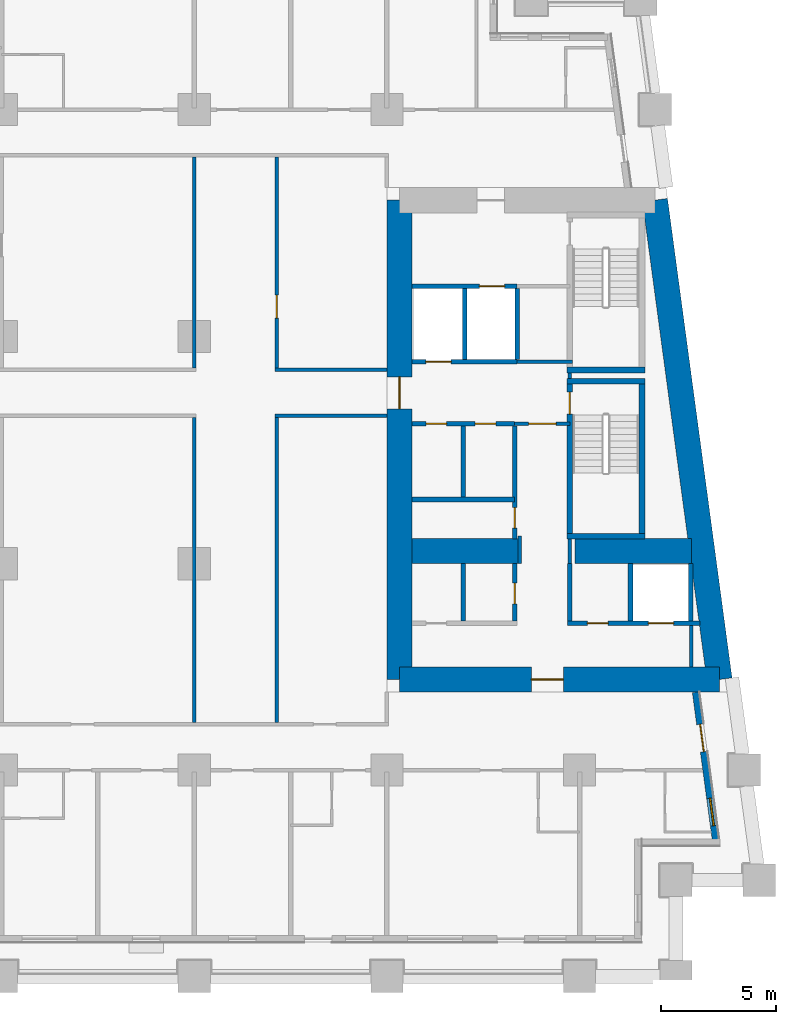
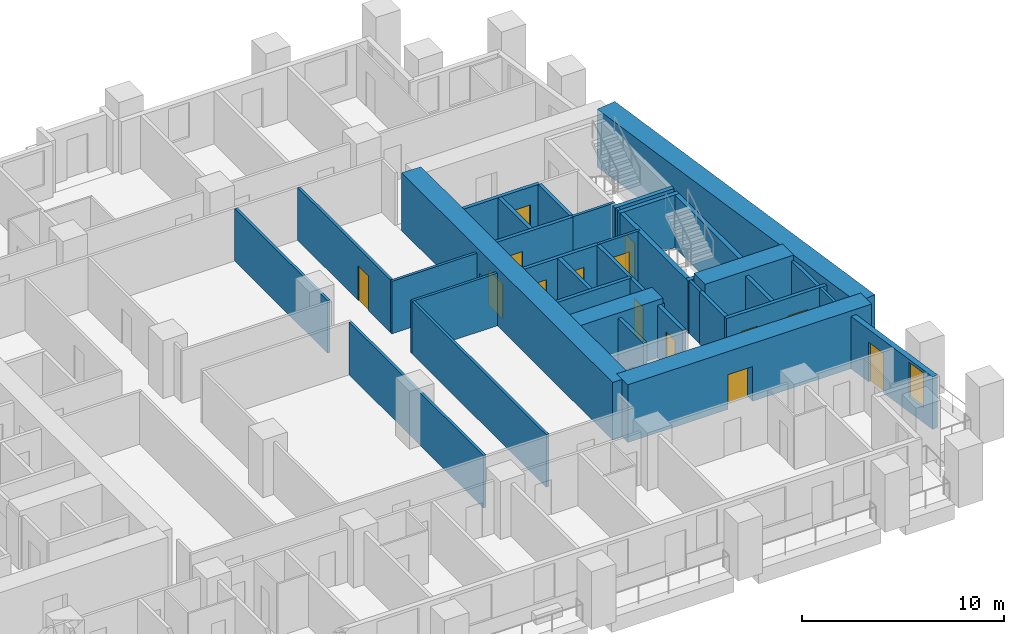
# One storey, part 5 of 12: 37 walls, 14 doors, 1 window, 15 openings.
"""IFC4 building model written with IfcOpenShell, lengths in metres."""

from ifc_helpers import new_model, si_unit, direction, frame, frame_2d, origin, place, context, subcontext, project, spatial, rectangle, extrude, material, layer, layer_set, type_object, element, fill, save


model = new_model("IFC4")

# Units and contexts
model_context = context("Model", 3, precision=1e-05, world=origin(), true_north=direction((0.0, 1.0)))
body_context = subcontext(model_context, "Body", "Model", "MODEL_VIEW")
ifc_project = project(units=[si_unit("LENGTHUNIT", "METRE"), si_unit("AREAUNIT", "SQUARE_METRE"), si_unit("VOLUMEUNIT", "CUBIC_METRE"), si_unit("PLANEANGLEUNIT", "RADIAN"), si_unit("MASSUNIT", "GRAM", prefix="KILO")], contexts=[model_context])

# Site, building, storey
site_placement = place(None, origin())
site = spatial("IfcSite", under=ifc_project, at=site_placement, CompositionType="ELEMENT")
building_placement = place(site_placement, origin())
building = spatial("IfcBuilding", under=site, at=building_placement, Name="Candeia Pilgrim Tower and Theatre", CompositionType="ELEMENT")
storey_placement = place(building_placement, frame((0.0, 0.0, 49.5)))
storey = spatial("IfcBuildingStorey", under=building, at=storey_placement, Name="L09", CompositionType="ELEMENT", Elevation=49.5)

# Wall
ifc_material_1 = material(Name="Concrete C80/95", Category="concrete")
ifc_layer_1 = layer(ifc_material_1, 1.10009765625)
ifc_layer_set_1 = layer_set([ifc_layer_1], Name="Core wall 1100 C80/95")
wall_type_1 = type_object("IfcWallType", Name="Core wall 1100 C80/95", PredefinedType="SHEAR", material=ifc_layer_set_1)
wall_1_placement = place(storey_placement, frame((137.688232421875, 131.85009765625, 0.0), z_axis=(0.0, 0.0, 1.0), x_axis=(0.133411793472, -0.991060691059, 0.0)))
element("IfcWall", 1, at=wall_1_placement, inside=storey, type_object=wall_type_1, Name="Core wall E2", PredefinedType="SHEAR", context=body_context, shape_type="SweptSolid", body=[
    extrude(rectangle(XDim=21.088623046875, YDim=1.10009765625, at=frame_2d((10.54443359375, 0.0))), origin(), (0.0, 0.0, 1.0), 3.5),
])

# Wall, opening, door
wall_2_placement = place(storey_placement, frame((140.501708984375, 110.949951171875, 0.0), z_axis=(0.0, 0.0, 1.0), x_axis=(-1.0, 0.0, 0.0)))
wall_2 = element("IfcWall", 2, at=wall_2_placement, inside=storey, type_object=wall_type_1, Name="Core wall E3", PredefinedType="SHEAR", context=body_context, shape_type="SweptSolid", body=[
    extrude(rectangle(XDim=13.95166015625, YDim=1.10009765625, at=frame_2d((6.975830078125, 0.0))), origin(), (0.0, 0.0, 1.0), 3.5),
])
opening_1_placement = place(wall_2_placement, frame((6.80419921875, 0.0, 0.0)))
opening_1 = element("IfcOpeningElement", 3, at=opening_1_placement, cuts=wall_2, Name="Opening L09-D057", PredefinedType="OPENING", context=body_context, shape_type="SweptSolid", body=[
    extrude(rectangle(XDim=1.39990234375, YDim=2.10009765625, at=frame_2d((0.699951171875, 1.050048828125))), frame((0.0, 0.56005859375, 0.0), z_axis=(0.0, -1.0, 0.0), x_axis=(1.0, 0.0, 0.0)), (0.0, 0.0, 1.0), 1.1201171875),
])
ifc_material_2 = material(Name="Steel fire door set", Category="steel")
door_type_1 = type_object("IfcDoorType", Name="D-1400-FD60", OperationType="NOTDEFINED", PredefinedType="DOOR", material=ifc_material_2)
door_1_placement = place(opening_1_placement, origin())
door_1 = element("IfcDoor", 4, at=door_1_placement, inside=storey, type_object=door_type_1, Name="Door L09-D057", OperationType="SINGLE_SWING_RIGHT", OverallHeight=2.10009765625, OverallWidth=1.39990234375, PredefinedType="DOOR", context=body_context, shape_type="SweptSolid", body=[
    extrude(rectangle(XDim=1.39990234375, YDim=2.10009765625, at=frame_2d((0.699951171875, 1.050048828125))), frame((0.0, 0.02490234375, 0.0), z_axis=(0.0, -1.0, 0.0), x_axis=(1.0, 0.0, 0.0)), (0.0, 0.0, 1.0), 0.050048828125),
])
fill(opening_1, door_1)

wall_3_placement = place(storey_placement, frame((126.550048828125, 110.949951171875, 0.0), z_axis=(0.0, 0.0, 1.0), x_axis=(0.0, 1.0, 0.0)))
wall_3 = element("IfcWall", 5, at=wall_3_placement, inside=storey, type_object=wall_type_1, Name="Core wall E4", PredefinedType="SHEAR", context=body_context, shape_type="SweptSolid", body=[
    extrude(rectangle(XDim=20.900146484375, YDim=1.10009765625, at=frame_2d((10.4501953125, 0.0))), origin(), (0.0, 0.0, 1.0), 3.5),
])
opening_2_placement = place(wall_3_placement, frame((11.800048828125, 0.0, 0.0)))
opening_2 = element("IfcOpeningElement", 6, at=opening_2_placement, cuts=wall_3, Name="Opening L09-D059", PredefinedType="OPENING", context=body_context, shape_type="SweptSolid", body=[
    extrude(rectangle(XDim=1.39990234375, YDim=2.10009765625, at=frame_2d((0.699951171875, 1.050048828125))), frame((0.0, 0.56005859375, 0.0), z_axis=(0.0, -1.0, 0.0), x_axis=(1.0, 0.0, 0.0)), (0.0, 0.0, 1.0), 1.1201171875),
])
door_2_placement = place(opening_2_placement, origin())
door_2 = element("IfcDoor", 7, at=door_2_placement, inside=storey, type_object=door_type_1, Name="Door L09-D059", OperationType="SINGLE_SWING_RIGHT", OverallHeight=2.10009765625, OverallWidth=1.39990234375, PredefinedType="DOOR", context=body_context, shape_type="SweptSolid", body=[
    extrude(rectangle(XDim=1.39990234375, YDim=2.10009765625, at=frame_2d((0.699951171875, 1.050048828125))), frame((0.0, 0.02490234375, 0.0), z_axis=(0.0, -1.0, 0.0), x_axis=(1.0, 0.0, 0.0)), (0.0, 0.0, 1.0), 0.050048828125),
])
fill(opening_2, door_2)

# Walls
wall_4_placement = place(storey_placement, frame((127.10009765625, 116.550048828125, 0.0), z_axis=(0.0, 0.0, 1.0), x_axis=(1.0, 0.0, 0.0)))
element("IfcWall", 8, at=wall_4_placement, inside=storey, type_object=wall_type_1, Name="Core wall E5", PredefinedType="SHEAR", context=body_context, shape_type="SweptSolid", body=[
    extrude(rectangle(XDim=4.699951171875, YDim=1.10009765625, at=frame_2d((2.35009765625, 0.0))), origin(), (0.0, 0.0, 1.0), 3.5),
])
wall_5_placement = place(storey_placement, frame((134.199951171875, 116.550048828125, 0.0), z_axis=(0.0, 0.0, 1.0), x_axis=(1.0, 0.0, 0.0)))
element("IfcWall", 9, at=wall_5_placement, inside=storey, type_object=wall_type_1, Name="Core wall E6", PredefinedType="SHEAR", context=body_context, shape_type="SweptSolid", body=[
    extrude(rectangle(XDim=5.076904296875, YDim=1.10009765625, at=frame_2d((2.53857421875, 0.0))), origin(), (0.0, 0.0, 1.0), 3.5),
])

# Wall, openings, door, window
ifc_material_3 = material(Name="Ceramic block masonry", Category="masonry")
ifc_layer_2 = layer(ifc_material_3, 0.300048828125)
ifc_layer_set_2 = layer_set([ifc_layer_2], Name="EW1 glazing-line wall 300")
wall_type_2 = type_object("IfcWallType", Name="EW1 glazing-line wall 300", PredefinedType="SOLIDWALL", material=ifc_layer_set_2)
wall_6_placement = place(storey_placement, frame((140.34765625, 103.85009765625, 0.0), z_axis=(0.0, 0.0, 1.0), x_axis=(-0.133431549479, 0.991058031401, 0.0)))
wall_6 = element("IfcWall", 10, at=wall_6_placement, inside=storey, type_object=wall_type_2, Name="External wall L09-3.0", PredefinedType="SOLIDWALL", context=body_context, shape_type="SweptSolid", body=[
    extrude(rectangle(XDim=6.60888671875, YDim=0.300048828125, at=frame_2d((3.304443359375, 0.0))), origin(), (0.0, 0.0, 1.0), 3.179931640625),
])
opening_3_placement = place(wall_6_placement, frame((0.736572265625, 0.0, 0.89990234375)))
opening_3 = element("IfcOpeningElement", 11, at=opening_3_placement, cuts=wall_6, Name="Opening W-B", PredefinedType="OPENING", context=body_context, shape_type="SweptSolid", body=[
    extrude(rectangle(XDim=1.199951171875, YDim=2.10009765625, at=frame_2d((0.60009765625, 1.050048828125))), frame((0.0, 0.16015625, 0.0), z_axis=(0.0, -1.0, 0.0), x_axis=(1.0, 0.0, 0.0)), (0.0, 0.0, 1.0), 0.320068359375),
])
opening_4_placement = place(wall_6_placement, frame((3.990966796875, 0.0, 0.0)))
opening_4 = element("IfcOpeningElement", 12, at=opening_4_placement, cuts=wall_6, Name="Opening L09-ED112", PredefinedType="OPENING", context=body_context, shape_type="SweptSolid", body=[
    extrude(rectangle(XDim=1.199951171875, YDim=2.39990234375, at=frame_2d((0.60009765625, 1.199951171875))), frame((0.0, 0.16015625, 0.0), z_axis=(0.0, -1.0, 0.0), x_axis=(1.0, 0.0, 0.0)), (0.0, 0.0, 1.0), 0.320068359375),
])
ifc_material_4 = material(Name="Aluminium framed glazed door", Category="aluminium")
door_type_2 = type_object("IfcDoorType", Name="Loggia door 1200x2400", OperationType="DOUBLE_DOOR_SINGLE_SWING", PredefinedType="DOOR", material=ifc_material_4)
door_3_placement = place(opening_4_placement, origin())
door_3 = element("IfcDoor", 13, at=door_3_placement, inside=storey, type_object=door_type_2, Name="Loggia door L09-ED112", OperationType="DOUBLE_DOOR_SINGLE_SWING", OverallHeight=2.39990234375, OverallWidth=1.199951171875, PredefinedType="DOOR", context=body_context, shape_type="SweptSolid", body=[
    extrude(rectangle(XDim=1.199951171875, YDim=2.39990234375, at=frame_2d((0.60009765625, 1.199951171875))), frame((0.0, 0.02490234375, 0.0), z_axis=(0.0, -1.0, 0.0), x_axis=(1.0, 0.0, 0.0)), (0.0, 0.0, 1.0), 0.050048828125),
])
fill(opening_4, door_3)
ifc_material_5 = material(Name="Aluminium framed double glazing", Category="aluminium")
window_type = type_object("IfcWindowType", Name="W-B window 1200x2100", PartitioningType="SINGLE_PANEL", PredefinedType="WINDOW", material=ifc_material_5)
window_placement = place(opening_3_placement, origin())
window = element("IfcWindow", 14, at=window_placement, inside=storey, type_object=window_type, Name="Window W-B L09", OverallHeight=2.10009765625, OverallWidth=1.199951171875, PartitioningType="SINGLE_PANEL", PredefinedType="WINDOW", context=body_context, shape_type="SweptSolid", body=[
    extrude(rectangle(XDim=1.199951171875, YDim=2.10009765625, at=frame_2d((0.60009765625, 1.050048828125))), frame((0.0, 0.030029296875, 0.0), z_axis=(0.0, -1.0, 0.0), x_axis=(1.0, 0.0, 0.0)), (0.0, 0.0, 1.0), 0.06005859375),
])
fill(opening_3, window)

# Wall, opening, door
ifc_material_6 = material(Name="Gypsum board partition on steel studs", Category="steel")
ifc_layer_3 = layer(ifc_material_6, 0.14990234375)
ifc_layer_set_3 = layer_set([ifc_layer_3], Name="PW-150 lobby wall")
wall_type_3 = type_object("IfcWallType", Name="PW-150 lobby wall", PredefinedType="PARTITIONING", material=ifc_layer_set_3)
wall_7_placement = place(storey_placement, frame((131.572998046875, 122.10009765625, 0.0), z_axis=(0.0, 0.0, 1.0), x_axis=(1.0, 0.0, 0.0)))
wall_7 = element("IfcWall", 15, at=wall_7_placement, inside=storey, type_object=wall_type_3, Name="Lobby wall L09-021", PredefinedType="PARTITIONING", context=body_context, shape_type="SweptSolid", body=[
    extrude(rectangle(XDim=2.39990234375, YDim=0.14990234375, at=frame_2d((1.199951171875, 0.0))), origin(), (0.0, 0.0, 1.0), 3.179931640625),
])
opening_5_placement = place(wall_7_placement, frame((0.60009765625, 0.0, 0.0)))
opening_5 = element("IfcOpeningElement", 16, at=opening_5_placement, cuts=wall_7, Name="Opening L09-D008", PredefinedType="OPENING", context=body_context, shape_type="SweptSolid", body=[
    extrude(rectangle(XDim=1.199951171875, YDim=2.10009765625, at=frame_2d((0.60009765625, 1.050048828125))), frame((0.0, 0.0849609375, 0.0), z_axis=(0.0, -1.0, 0.0), x_axis=(1.0, 0.0, 0.0)), (0.0, 0.0, 1.0), 0.169921875),
])
door_type_3 = type_object("IfcDoorType", Name="D-1200-FD60", OperationType="NOTDEFINED", PredefinedType="DOOR", material=ifc_material_2)
door_4_placement = place(opening_5_placement, origin())
door_4 = element("IfcDoor", 17, at=door_4_placement, inside=storey, type_object=door_type_3, Name="Door L09-D008", OperationType="SINGLE_SWING_RIGHT", OverallHeight=2.10009765625, OverallWidth=1.199951171875, PredefinedType="DOOR", context=body_context, shape_type="SweptSolid", body=[
    extrude(rectangle(XDim=1.199951171875, YDim=2.10009765625, at=frame_2d((0.60009765625, 1.050048828125))), frame((0.0, 0.02490234375, 0.0), z_axis=(0.0, -1.0, 0.0), x_axis=(1.0, 0.0, 0.0)), (0.0, 0.0, 1.0), 0.050048828125),
])
fill(opening_5, door_4)

# Walls
wall_8_placement = place(storey_placement, frame((131.681884765625, 124.800048828125, 0.0), z_axis=(0.0, 0.0, 1.0), x_axis=(1.0, 0.0, 0.0)))
element("IfcWall", 18, at=wall_8_placement, inside=storey, type_object=wall_type_3, Name="Lobby wall L09-034", PredefinedType="PARTITIONING", context=body_context, shape_type="SweptSolid", body=[
    extrude(rectangle(XDim=2.416015625, YDim=0.14990234375, at=frame_2d((1.2080078125, 0.0))), origin(), (0.0, 0.0, 1.0), 3.179931640625),
])
wall_9_placement = place(storey_placement, frame((131.800048828125, 116.0, 0.0), z_axis=(0.0, 0.0, 1.0), x_axis=(0.0, 1.0, 0.0)))
element("IfcWall", 19, at=wall_9_placement, inside=storey, type_object=wall_type_3, Name="Lobby wall L09-107", PredefinedType="PARTITIONING", context=body_context, shape_type="SweptSolid", body=[
    extrude(rectangle(XDim=1.199951171875, YDim=0.14990234375, at=frame_2d((0.60009765625, 0.0))), origin(), (0.0, 0.0, 1.0), 3.179931640625),
])
wall_10_placement = place(storey_placement, frame((133.972900390625, 116.0, 0.0), z_axis=(0.0, 0.0, 1.0), x_axis=(0.0, 1.0, 0.0)))
element("IfcWall", 20, at=wall_10_placement, inside=storey, type_object=wall_type_3, Name="Lobby wall L09-111", PredefinedType="PARTITIONING", context=body_context, shape_type="SweptSolid", body=[
    extrude(rectangle(XDim=1.070068359375, YDim=0.14990234375, at=frame_2d((0.53515625, 0.0))), origin(), (0.0, 0.0, 1.0), 3.179931640625),
])
wall_11_placement = place(storey_placement, frame((133.972900390625, 124.074951171875, 0.0), z_axis=(0.0, 0.0, 1.0), x_axis=(0.0, 1.0, 0.0)))
element("IfcWall", 21, at=wall_11_placement, inside=storey, type_object=wall_type_3, Name="Lobby wall L09-112", PredefinedType="PARTITIONING", context=body_context, shape_type="SweptSolid", body=[
    extrude(rectangle(XDim=0.25, YDim=0.14990234375, at=frame_2d((0.125, 0.0))), origin(), (0.0, 0.0, 1.0), 3.179931640625),
])
wall_12_placement = place(storey_placement, frame((139.27001953125, 111.5, 0.0), z_axis=(0.0, 0.0, 1.0), x_axis=(0.0, 1.0, 0.0)))
element("IfcWall", 22, at=wall_12_placement, inside=storey, type_object=wall_type_3, Name="Lobby wall L09-121", PredefinedType="PARTITIONING", context=body_context, shape_type="SweptSolid", body=[
    extrude(rectangle(XDim=1.800048828125, YDim=0.14990234375, at=frame_2d((0.89990234375, 0.0))), origin(), (0.0, 0.0, 1.0), 3.179931640625),
])
ifc_layer_4 = layer(ifc_material_6, 0.14990234375)
ifc_layer_set_4 = layer_set([ifc_layer_4], Name="PW-150 unit wall")
wall_type_4 = type_object("IfcWallType", Name="PW-150 unit wall", PredefinedType="PARTITIONING", material=ifc_layer_set_4)
for number, where, z_axis, x_axis, name in (
    (23, (121.125, 122.449951171875, 0.0), (0.0, 0.0, 1.0), (1.0, 0.0, 0.0), "Unit wall L09-024"),
    (24, (121.125, 124.449951171875, 0.0), (0.0, 0.0, 1.0), (1.0, 0.0, 0.0), "Unit wall L09-031"),
):
    element("IfcWall", number, at=place(storey_placement, frame(where, z_axis=z_axis, x_axis=x_axis)), inside=storey, type_object=wall_type_4, Name=name, PredefinedType="PARTITIONING", context=body_context, shape_type="SweptSolid", body=[
        extrude(rectangle(XDim=4.875, YDim=0.14990234375, at=frame_2d((2.4375, 0.0))), origin(), (0.0, 0.0, 1.0), 3.179931640625),
    ])
wall_13_placement = place(storey_placement, frame((117.60009765625, 109.074951171875, 0.0), z_axis=(0.0, 0.0, 1.0), x_axis=(0.0, 1.0, 0.0)))
element("IfcWall", 25, at=wall_13_placement, inside=storey, type_object=wall_type_4, Name="Unit wall L09-089", PredefinedType="PARTITIONING", context=body_context, shape_type="SweptSolid", body=[
    extrude(rectangle(XDim=13.300048828125, YDim=0.14990234375, at=frame_2d((6.64990234375, 0.0))), origin(), (0.0, 0.0, 1.0), 3.179931640625),
])
wall_14_placement = place(storey_placement, frame((117.60009765625, 124.52490234375, 0.0), z_axis=(0.0, 0.0, 1.0), x_axis=(0.0, 1.0, 0.0)))
element("IfcWall", 26, at=wall_14_placement, inside=storey, type_object=wall_type_4, Name="Unit wall L09-090", PredefinedType="PARTITIONING", context=body_context, shape_type="SweptSolid", body=[
    extrude(rectangle(XDim=9.2001953125, YDim=0.14990234375, at=frame_2d((4.60009765625, 0.0))), origin(), (0.0, 0.0, 1.0), 3.179931640625),
])
wall_15_placement = place(storey_placement, frame((121.199951171875, 109.074951171875, 0.0), z_axis=(0.0, 0.0, 1.0), x_axis=(0.0, 1.0, 0.0)))
element("IfcWall", 27, at=wall_15_placement, inside=storey, type_object=wall_type_4, Name="Unit wall L09-091", PredefinedType="PARTITIONING", context=body_context, shape_type="SweptSolid", body=[
    extrude(rectangle(XDim=13.300048828125, YDim=0.14990234375, at=frame_2d((6.64990234375, 0.0))), origin(), (0.0, 0.0, 1.0), 3.179931640625),
])

# Wall, opening, door
wall_16_placement = place(storey_placement, frame((121.199951171875, 124.52490234375, 0.0), z_axis=(0.0, 0.0, 1.0), x_axis=(0.0, 1.0, 0.0)))
wall_16 = element("IfcWall", 28, at=wall_16_placement, inside=storey, type_object=wall_type_4, Name="Unit wall L09-092", PredefinedType="PARTITIONING", context=body_context, shape_type="SweptSolid", body=[
    extrude(rectangle(XDim=9.2001953125, YDim=0.14990234375, at=frame_2d((4.60009765625, 0.0))), origin(), (0.0, 0.0, 1.0), 3.179931640625),
])
opening_6_placement = place(wall_16_placement, frame((2.18701171875, 0.0, 0.0)))
opening_6 = element("IfcOpeningElement", 29, at=opening_6_placement, cuts=wall_16, Name="Opening L09-D053", PredefinedType="OPENING", context=body_context, shape_type="SweptSolid", body=[
    extrude(rectangle(XDim=1.0, YDim=2.10009765625, at=frame_2d((0.5, 1.050048828125))), frame((0.0, 0.0849609375, 0.0), z_axis=(0.0, -1.0, 0.0), x_axis=(1.0, 0.0, 0.0)), (0.0, 0.0, 1.0), 0.169921875),
])
door_type_4 = type_object("IfcDoorType", Name="D-1000-FD30S", OperationType="NOTDEFINED", PredefinedType="DOOR", material=ifc_material_2)
door_5_placement = place(opening_6_placement, origin())
door_5 = element("IfcDoor", 30, at=door_5_placement, inside=storey, type_object=door_type_4, Name="Door L09-D053", OperationType="SINGLE_SWING_RIGHT", OverallHeight=2.10009765625, OverallWidth=1.0, PredefinedType="DOOR", context=body_context, shape_type="SweptSolid", body=[
    extrude(rectangle(XDim=1.0, YDim=2.10009765625, at=frame_2d((0.5, 1.050048828125))), frame((0.0, 0.02490234375, 0.0), z_axis=(0.0, -1.0, 0.0), x_axis=(1.0, 0.0, 0.0)), (0.0, 0.0, 1.0), 0.050048828125),
])
fill(opening_6, door_5)

# Wall, openings, doors
ifc_material_7 = material(Name="Concrete C40/50", Category="concrete")
ifc_layer_5 = layer(ifc_material_7, 0.199951171875)
ifc_layer_set_5 = layer_set([ifc_layer_5], Name="SW-200 shaft wall")
wall_type_5 = type_object("IfcWallType", Name="SW-200 shaft wall", PredefinedType="PARTITIONING", material=ifc_layer_set_5)
wall_17_placement = place(storey_placement, frame((133.873046875, 113.39990234375, 0.0), z_axis=(0.0, 0.0, 1.0), x_axis=(1.0, 0.0, 0.0)))
wall_17 = element("IfcWall", 31, at=wall_17_placement, inside=storey, type_object=wall_type_5, Name="Shaft wall L09-013", PredefinedType="PARTITIONING", context=body_context, shape_type="SweptSolid", body=[
    extrude(rectangle(XDim=5.77392578125, YDim=0.199951171875, at=frame_2d((2.886962890625, 0.0))), origin(), (0.0, 0.0, 1.0), 3.179931640625),
])
opening_7_placement = place(wall_17_placement, frame((3.52294921875, 0.0, 0.0)))
opening_7 = element("IfcOpeningElement", 32, at=opening_7_placement, cuts=wall_17, Name="Opening L09-LD08", PredefinedType="OPENING", context=body_context, shape_type="SweptSolid", body=[
    extrude(rectangle(XDim=1.10009765625, YDim=2.10009765625, at=frame_2d((0.550048828125, 1.050048828125))), frame((0.0, 0.10986328125, 0.0), z_axis=(0.0, -1.0, 0.0), x_axis=(1.0, 0.0, 0.0)), (0.0, 0.0, 1.0), 0.219970703125),
])
opening_8_placement = place(wall_17_placement, frame((0.868896484375, 0.0, 0.0)))
opening_8 = element("IfcOpeningElement", 33, at=opening_8_placement, cuts=wall_17, Name="Opening L09-D014", PredefinedType="OPENING", context=body_context, shape_type="SweptSolid", body=[
    extrude(rectangle(XDim=0.89990234375, YDim=2.10009765625, at=frame_2d((0.449951171875, 1.050048828125))), frame((0.0, 0.10986328125, 0.0), z_axis=(0.0, -1.0, 0.0), x_axis=(1.0, 0.0, 0.0)), (0.0, 0.0, 1.0), 0.219970703125),
])
door_type_5 = type_object("IfcDoorType", Name="D-900-FD60", OperationType="NOTDEFINED", PredefinedType="DOOR", material=ifc_material_2)
door_6_placement = place(opening_8_placement, origin())
door_6 = element("IfcDoor", 34, at=door_6_placement, inside=storey, type_object=door_type_5, Name="Door L09-D014", OperationType="SINGLE_SWING_LEFT", OverallHeight=2.10009765625, OverallWidth=0.89990234375, PredefinedType="DOOR", context=body_context, shape_type="SweptSolid", body=[
    extrude(rectangle(XDim=0.89990234375, YDim=2.10009765625, at=frame_2d((0.449951171875, 1.050048828125))), frame((0.0, 0.02490234375, 0.0), z_axis=(0.0, -1.0, 0.0), x_axis=(1.0, 0.0, 0.0)), (0.0, 0.0, 1.0), 0.050048828125),
])
fill(opening_8, door_6)
ifc_material_8 = material(Name="Glazed aluminium landing door", Category="aluminium")
door_type_6 = type_object("IfcDoorType", Name="LD-1100-EI120", OperationType="SLIDING_TO_LEFT", PredefinedType="DOOR", material=ifc_material_8)
door_7_placement = place(opening_7_placement, origin())
door_7 = element("IfcDoor", 35, at=door_7_placement, inside=storey, type_object=door_type_6, Name="Landing door 08 L09", OperationType="SLIDING_TO_LEFT", OverallHeight=2.10009765625, OverallWidth=1.10009765625, PredefinedType="DOOR", context=body_context, shape_type="SweptSolid", body=[
    extrude(rectangle(XDim=1.10009765625, YDim=2.10009765625, at=frame_2d((0.550048828125, 1.050048828125))), frame((0.0, 0.02490234375, 0.0), z_axis=(0.0, -1.0, 0.0), x_axis=(1.0, 0.0, 0.0)), (0.0, 0.0, 1.0), 0.050048828125),
])
fill(opening_7, door_7)

# Wall
wall_18_placement = place(storey_placement, frame((127.10009765625, 118.800048828125, 0.0), z_axis=(0.0, 0.0, 1.0), x_axis=(1.0, 0.0, 0.0)))
element("IfcWall", 36, at=wall_18_placement, inside=storey, type_object=wall_type_5, Name="Shaft wall L09-017", PredefinedType="PARTITIONING", context=body_context, shape_type="SweptSolid", body=[
    extrude(rectangle(XDim=4.472900390625, YDim=0.199951171875, at=frame_2d((2.236328125, 0.0))), origin(), (0.0, 0.0, 1.0), 3.179931640625),
])

# Wall, openings, doors
wall_19_placement = place(storey_placement, frame((127.10009765625, 122.10009765625, 0.0), z_axis=(0.0, 0.0, 1.0), x_axis=(1.0, 0.0, 0.0)))
wall_19 = element("IfcWall", 37, at=wall_19_placement, inside=storey, type_object=wall_type_5, Name="Shaft wall L09-019", PredefinedType="PARTITIONING", context=body_context, shape_type="SweptSolid", body=[
    extrude(rectangle(XDim=4.472900390625, YDim=0.199951171875, at=frame_2d((2.236328125, 0.0))), origin(), (0.0, 0.0, 1.0), 3.179931640625),
])
opening_9_placement = place(wall_19_placement, frame((2.74609375, 0.0, 0.0)))
opening_9 = element("IfcOpeningElement", 38, at=opening_9_placement, cuts=wall_19, Name="Opening L09-D009", PredefinedType="OPENING", context=body_context, shape_type="SweptSolid", body=[
    extrude(rectangle(XDim=0.89990234375, YDim=2.10009765625, at=frame_2d((0.449951171875, 1.050048828125))), frame((0.0, 0.10986328125, 0.0), z_axis=(0.0, -1.0, 0.0), x_axis=(1.0, 0.0, 0.0)), (0.0, 0.0, 1.0), 0.219970703125),
])
opening_10_placement = place(wall_19_placement, frame((0.60498046875, 0.0, 0.0)))
opening_10 = element("IfcOpeningElement", 39, at=opening_10_placement, cuts=wall_19, Name="Opening L09-D010", PredefinedType="OPENING", context=body_context, shape_type="SweptSolid", body=[
    extrude(rectangle(XDim=0.89990234375, YDim=2.10009765625, at=frame_2d((0.449951171875, 1.050048828125))), frame((0.0, 0.10986328125, 0.0), z_axis=(0.0, -1.0, 0.0), x_axis=(1.0, 0.0, 0.0)), (0.0, 0.0, 1.0), 0.219970703125),
])
door_8_placement = place(opening_9_placement, origin())
door_8 = element("IfcDoor", 40, at=door_8_placement, inside=storey, type_object=door_type_5, Name="Door L09-D009", OperationType="SINGLE_SWING_LEFT", OverallHeight=2.10009765625, OverallWidth=0.89990234375, PredefinedType="DOOR", context=body_context, shape_type="SweptSolid", body=[
    extrude(rectangle(XDim=0.89990234375, YDim=2.10009765625, at=frame_2d((0.449951171875, 1.050048828125))), frame((0.0, 0.02490234375, 0.0), z_axis=(0.0, -1.0, 0.0), x_axis=(1.0, 0.0, 0.0)), (0.0, 0.0, 1.0), 0.050048828125),
])
fill(opening_9, door_8)
door_9_placement = place(opening_10_placement, origin())
door_9 = element("IfcDoor", 41, at=door_9_placement, inside=storey, type_object=door_type_5, Name="Door L09-D010", OperationType="SINGLE_SWING_RIGHT", OverallHeight=2.10009765625, OverallWidth=0.89990234375, PredefinedType="DOOR", context=body_context, shape_type="SweptSolid", body=[
    extrude(rectangle(XDim=0.89990234375, YDim=2.10009765625, at=frame_2d((0.449951171875, 1.050048828125))), frame((0.0, 0.02490234375, 0.0), z_axis=(0.0, -1.0, 0.0), x_axis=(1.0, 0.0, 0.0)), (0.0, 0.0, 1.0), 0.050048828125),
])
fill(opening_10, door_9)

# Wall, opening, door
wall_20_placement = place(storey_placement, frame((127.10009765625, 124.800048828125, 0.0), z_axis=(0.0, 0.0, 1.0), x_axis=(1.0, 0.0, 0.0)))
wall_20 = element("IfcWall", 42, at=wall_20_placement, inside=storey, type_object=wall_type_5, Name="Shaft wall L09-033", PredefinedType="PARTITIONING", context=body_context, shape_type="SweptSolid", body=[
    extrude(rectangle(XDim=4.581787109375, YDim=0.199951171875, at=frame_2d((2.291015625, 0.0))), origin(), (0.0, 0.0, 1.0), 3.179931640625),
])
opening_11_placement = place(wall_20_placement, frame((0.595947265625, 0.0, 0.0)))
opening_11 = element("IfcOpeningElement", 43, at=opening_11_placement, cuts=wall_20, Name="Opening L09-LD07", PredefinedType="OPENING", context=body_context, shape_type="SweptSolid", body=[
    extrude(rectangle(XDim=1.10009765625, YDim=2.10009765625, at=frame_2d((0.550048828125, 1.050048828125))), frame((0.0, 0.10986328125, 0.0), z_axis=(0.0, -1.0, 0.0), x_axis=(1.0, 0.0, 0.0)), (0.0, 0.0, 1.0), 0.219970703125),
])
door_10_placement = place(opening_11_placement, origin())
door_10 = element("IfcDoor", 44, at=door_10_placement, inside=storey, type_object=door_type_6, Name="Landing door 07 L09", OperationType="SLIDING_TO_LEFT", OverallHeight=2.10009765625, OverallWidth=1.10009765625, PredefinedType="DOOR", context=body_context, shape_type="SweptSolid", body=[
    extrude(rectangle(XDim=1.10009765625, YDim=2.10009765625, at=frame_2d((0.550048828125, 1.050048828125))), frame((0.0, 0.02490234375, 0.0), z_axis=(0.0, -1.0, 0.0), x_axis=(1.0, 0.0, 0.0)), (0.0, 0.0, 1.0), 0.050048828125),
])
fill(opening_11, door_10)

wall_21_placement = place(storey_placement, frame((127.10009765625, 128.10009765625, 0.0), z_axis=(0.0, 0.0, 1.0), x_axis=(1.0, 0.0, 0.0)))
wall_21 = element("IfcWall", 45, at=wall_21_placement, inside=storey, type_object=wall_type_5, Name="Shaft wall L09-037", PredefinedType="PARTITIONING", context=body_context, shape_type="SweptSolid", body=[
    extrude(rectangle(XDim=4.581787109375, YDim=0.199951171875, at=frame_2d((2.291015625, 0.0))), origin(), (0.0, 0.0, 1.0), 3.179931640625),
])
opening_12_placement = place(wall_21_placement, frame((2.93603515625, 0.0, 0.0)))
opening_12 = element("IfcOpeningElement", 46, at=opening_12_placement, cuts=wall_21, Name="Opening L09-LD06", PredefinedType="OPENING", context=body_context, shape_type="SweptSolid", body=[
    extrude(rectangle(XDim=1.10009765625, YDim=2.10009765625, at=frame_2d((0.550048828125, 1.050048828125))), frame((0.0, 0.10986328125, 0.0), z_axis=(0.0, -1.0, 0.0), x_axis=(1.0, 0.0, 0.0)), (0.0, 0.0, 1.0), 0.219970703125),
])
door_11_placement = place(opening_12_placement, origin())
door_11 = element("IfcDoor", 47, at=door_11_placement, inside=storey, type_object=door_type_6, Name="Landing door 06 L09", OperationType="SLIDING_TO_LEFT", OverallHeight=2.10009765625, OverallWidth=1.10009765625, PredefinedType="DOOR", context=body_context, shape_type="SweptSolid", body=[
    extrude(rectangle(XDim=1.10009765625, YDim=2.10009765625, at=frame_2d((0.550048828125, 1.050048828125))), frame((0.0, 0.02490234375, 0.0), z_axis=(0.0, -1.0, 0.0), x_axis=(1.0, 0.0, 0.0)), (0.0, 0.0, 1.0), 0.050048828125),
])
fill(opening_12, door_11)

# Walls
wall_22_placement = place(storey_placement, frame((129.33642578125, 113.5, 0.0), z_axis=(0.0, 0.0, 1.0), x_axis=(0.0, 1.0, 0.0)))
element("IfcWall", 48, at=wall_22_placement, inside=storey, type_object=wall_type_5, Name="Shaft wall L09-100", PredefinedType="PARTITIONING", context=body_context, shape_type="SweptSolid", body=[
    extrude(rectangle(XDim=2.5, YDim=0.199951171875, at=frame_2d((1.25, 0.0))), origin(), (0.0, 0.0, 1.0), 3.179931640625),
])
for number, where, z_axis, x_axis, name in (
    (49, (129.33642578125, 118.89990234375, 0.0), (0.0, 0.0, 1.0), (0.0, 1.0, 0.0), "Shaft wall L09-101"),
    (50, (129.39111328125, 124.89990234375, 0.0), (0.0, 0.0, 1.0), (0.0, 1.0, 0.0), "Shaft wall L09-102"),
):
    element("IfcWall", number, at=place(storey_placement, frame(where, z_axis=z_axis, x_axis=x_axis)), inside=storey, type_object=wall_type_5, Name=name, PredefinedType="PARTITIONING", context=body_context, shape_type="SweptSolid", body=[
        extrude(rectangle(XDim=3.10009765625, YDim=0.199951171875, at=frame_2d((1.550048828125, 0.0))), origin(), (0.0, 0.0, 1.0), 3.179931640625),
    ])

# Wall, opening, door
wall_23_placement = place(storey_placement, frame((131.572998046875, 113.5, 0.0), z_axis=(0.0, 0.0, 1.0), x_axis=(0.0, 1.0, 0.0)))
wall_23 = element("IfcWall", 51, at=wall_23_placement, inside=storey, type_object=wall_type_5, Name="Shaft wall L09-104", PredefinedType="PARTITIONING", context=body_context, shape_type="SweptSolid", body=[
    extrude(rectangle(XDim=2.5, YDim=0.199951171875, at=frame_2d((1.25, 0.0))), origin(), (0.0, 0.0, 1.0), 3.179931640625),
])
opening_13_placement = place(wall_23_placement, frame((0.75, 0.0, 0.0)))
opening_13 = element("IfcOpeningElement", 52, at=opening_13_placement, cuts=wall_23, Name="Opening L09-D015", PredefinedType="OPENING", context=body_context, shape_type="SweptSolid", body=[
    extrude(rectangle(XDim=0.89990234375, YDim=2.10009765625, at=frame_2d((0.449951171875, 1.050048828125))), frame((0.0, 0.10986328125, 0.0), z_axis=(0.0, -1.0, 0.0), x_axis=(1.0, 0.0, 0.0)), (0.0, 0.0, 1.0), 0.219970703125),
])
door_12_placement = place(opening_13_placement, origin())
door_12 = element("IfcDoor", 53, at=door_12_placement, inside=storey, type_object=door_type_5, Name="Door L09-D015", OperationType="SINGLE_SWING_RIGHT", OverallHeight=2.10009765625, OverallWidth=0.89990234375, PredefinedType="DOOR", context=body_context, shape_type="SweptSolid", body=[
    extrude(rectangle(XDim=0.89990234375, YDim=2.10009765625, at=frame_2d((0.449951171875, 1.050048828125))), frame((0.0, 0.02490234375, 0.0), z_axis=(0.0, -1.0, 0.0), x_axis=(1.0, 0.0, 0.0)), (0.0, 0.0, 1.0), 0.050048828125),
])
fill(opening_13, door_12)

wall_24_placement = place(storey_placement, frame((131.572998046875, 117.070068359375, 0.0), z_axis=(0.0, 0.0, 1.0), x_axis=(0.0, 1.0, 0.0)))
wall_24 = element("IfcWall", 54, at=wall_24_placement, inside=storey, type_object=wall_type_5, Name="Shaft wall L09-105", PredefinedType="PARTITIONING", context=body_context, shape_type="SweptSolid", body=[
    extrude(rectangle(XDim=4.929931640625, YDim=0.199951171875, at=frame_2d((2.46484375, 0.0))), origin(), (0.0, 0.0, 1.0), 3.179931640625),
])
opening_14_placement = place(wall_24_placement, frame((0.47998046875, 0.0, 0.0)))
opening_14 = element("IfcOpeningElement", 55, at=opening_14_placement, cuts=wall_24, Name="Opening L09-D013", PredefinedType="OPENING", context=body_context, shape_type="SweptSolid", body=[
    extrude(rectangle(XDim=0.89990234375, YDim=2.10009765625, at=frame_2d((0.449951171875, 1.050048828125))), frame((0.0, 0.10986328125, 0.0), z_axis=(0.0, -1.0, 0.0), x_axis=(1.0, 0.0, 0.0)), (0.0, 0.0, 1.0), 0.219970703125),
])
door_13_placement = place(opening_14_placement, origin())
door_13 = element("IfcDoor", 56, at=door_13_placement, inside=storey, type_object=door_type_5, Name="Door L09-D013", OperationType="SINGLE_SWING_LEFT", OverallHeight=2.10009765625, OverallWidth=0.89990234375, PredefinedType="DOOR", context=body_context, shape_type="SweptSolid", body=[
    extrude(rectangle(XDim=0.89990234375, YDim=2.10009765625, at=frame_2d((0.449951171875, 1.050048828125))), frame((0.0, 0.02490234375, 0.0), z_axis=(0.0, -1.0, 0.0), x_axis=(1.0, 0.0, 0.0)), (0.0, 0.0, 1.0), 0.050048828125),
])
fill(opening_14, door_13)

# Walls
wall_25_placement = place(storey_placement, frame((131.681884765625, 124.89990234375, 0.0), z_axis=(0.0, 0.0, 1.0), x_axis=(0.0, 1.0, 0.0)))
element("IfcWall", 57, at=wall_25_placement, inside=storey, type_object=wall_type_5, Name="Shaft wall L09-106", PredefinedType="PARTITIONING", context=body_context, shape_type="SweptSolid", body=[
    extrude(rectangle(XDim=3.10009765625, YDim=0.199951171875, at=frame_2d((1.550048828125, 0.0))), origin(), (0.0, 0.0, 1.0), 3.179931640625),
])
for number, where, z_axis, x_axis, name in (
    (58, (133.972900390625, 113.5, 0.0), (0.0, 0.0, 1.0), (0.0, 1.0, 0.0), "Shaft wall L09-110"),
    (59, (136.62158203125, 113.5, 0.0), (0.0, 0.0, 1.0), (0.0, 1.0, 0.0), "Shaft wall L09-116"),
    (60, (139.247802734375, 113.5, 0.0), (0.0, 0.0, 1.0), (0.0, 1.0, 0.0), "Shaft wall L09-120"),
):
    element("IfcWall", number, at=place(storey_placement, frame(where, z_axis=z_axis, x_axis=x_axis)), inside=storey, type_object=wall_type_5, Name=name, PredefinedType="PARTITIONING", context=body_context, shape_type="SweptSolid", body=[
        extrude(rectangle(XDim=2.5, YDim=0.199951171875, at=frame_2d((1.25, 0.0))), origin(), (0.0, 0.0, 1.0), 3.179931640625),
    ])
ifc_layer_6 = layer(ifc_material_7, 0.25)
ifc_layer_set_6 = layer_set([ifc_layer_6], Name="SW-250 stair wall")
wall_type_6 = type_object("IfcWallType", Name="SW-250 stair wall", PredefinedType="PARTITIONING", material=ifc_layer_set_6)
for number, where, z_axis, x_axis, name in (
    (61, (133.847900390625, 117.199951171875, 0.0), (0.0, 0.0, 1.0), (1.0, 0.0, 0.0), "Stair wall L09-015"),
    (62, (133.847900390625, 123.949951171875, 0.0), (0.0, 0.0, 1.0), (1.0, 0.0, 0.0), "Stair wall L09-026"),
    (63, (133.847900390625, 124.449951171875, 0.0), (0.0, 0.0, 1.0), (1.0, 0.0, 0.0), "Stair wall L09-028"),
):
    element("IfcWall", number, at=place(storey_placement, frame(where, z_axis=z_axis, x_axis=x_axis)), inside=storey, type_object=wall_type_6, Name=name, PredefinedType="PARTITIONING", context=body_context, shape_type="SweptSolid", body=[
        extrude(rectangle(XDim=3.400146484375, YDim=0.25, at=frame_2d((1.7001953125, 0.0))), origin(), (0.0, 0.0, 1.0), 3.179931640625),
    ])

# Wall, opening, door
wall_26_placement = place(storey_placement, frame((133.972900390625, 117.070068359375, 0.0), z_axis=(0.0, 0.0, 1.0), x_axis=(0.0, 1.0, 0.0)))
wall_26 = element("IfcWall", 64, at=wall_26_placement, inside=storey, type_object=wall_type_6, Name="Stair wall L09-113", PredefinedType="PARTITIONING", context=body_context, shape_type="SweptSolid", body=[
    extrude(rectangle(XDim=6.7548828125, YDim=0.25, at=frame_2d((3.37744140625, 0.0))), origin(), (0.0, 0.0, 1.0), 3.179931640625),
])
opening_15_placement = place(wall_26_placement, frame((5.455078125, 0.0, 0.0)))
opening_15 = element("IfcOpeningElement", 65, at=opening_15_placement, cuts=wall_26, Name="Opening L09-D011", PredefinedType="OPENING", context=body_context, shape_type="SweptSolid", body=[
    extrude(rectangle(XDim=0.949951171875, YDim=2.10009765625, at=frame_2d((0.47509765625, 1.050048828125))), frame((0.0, 0.135009765625, 0.0), z_axis=(0.0, -1.0, 0.0), x_axis=(1.0, 0.0, 0.0)), (0.0, 0.0, 1.0), 0.27001953125),
])
door_type_7 = type_object("IfcDoorType", Name="D-950-FD60", OperationType="NOTDEFINED", PredefinedType="DOOR", material=ifc_material_2)
door_14_placement = place(opening_15_placement, origin())
door_14 = element("IfcDoor", 66, at=door_14_placement, inside=storey, type_object=door_type_7, Name="Door L09-D011", OperationType="SINGLE_SWING_LEFT", OverallHeight=2.10009765625, OverallWidth=0.949951171875, PredefinedType="DOOR", context=body_context, shape_type="SweptSolid", body=[
    extrude(rectangle(XDim=0.949951171875, YDim=2.10009765625, at=frame_2d((0.47509765625, 1.050048828125))), frame((0.0, 0.02490234375, 0.0), z_axis=(0.0, -1.0, 0.0), x_axis=(1.0, 0.0, 0.0)), (0.0, 0.0, 1.0), 0.050048828125),
])
fill(opening_15, door_14)

# Wall
wall_27_placement = place(storey_placement, frame((137.123046875, 117.070068359375, 0.0), z_axis=(0.0, 0.0, 1.0), x_axis=(0.0, 1.0, 0.0)))
element("IfcWall", 67, at=wall_27_placement, inside=storey, type_object=wall_type_6, Name="Stair wall L09-117", PredefinedType="PARTITIONING", context=body_context, shape_type="SweptSolid", body=[
    extrude(rectangle(XDim=6.7548828125, YDim=0.25, at=frame_2d((3.37744140625, 0.0))), origin(), (0.0, 0.0, 1.0), 3.179931640625),
])

save(model, "model.ifc")
